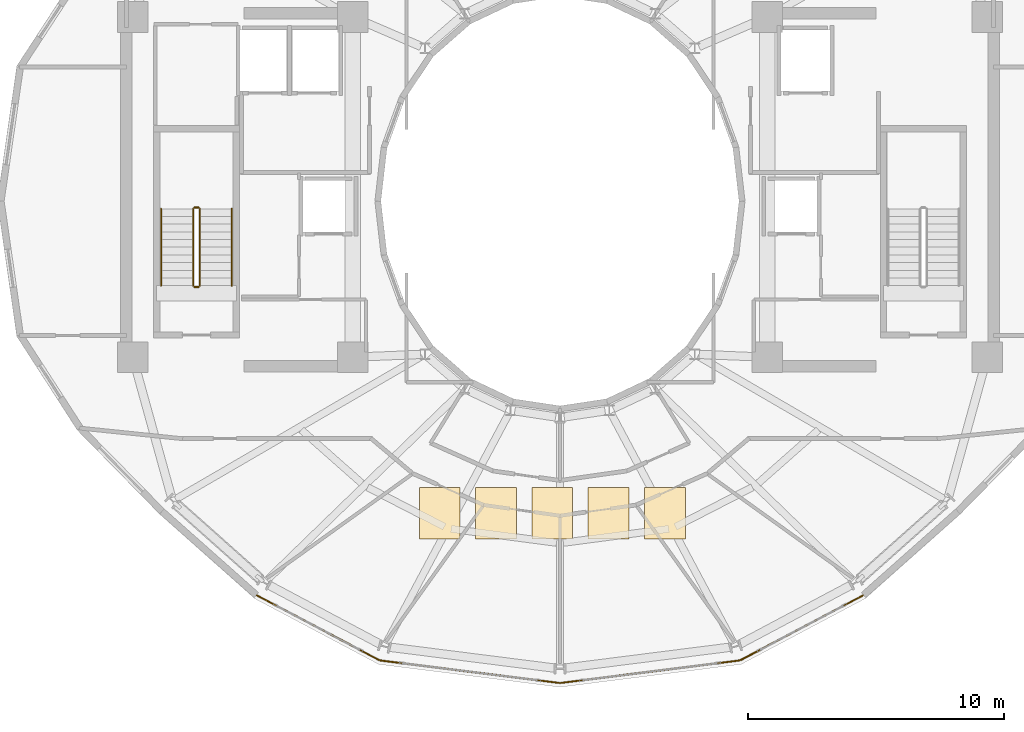
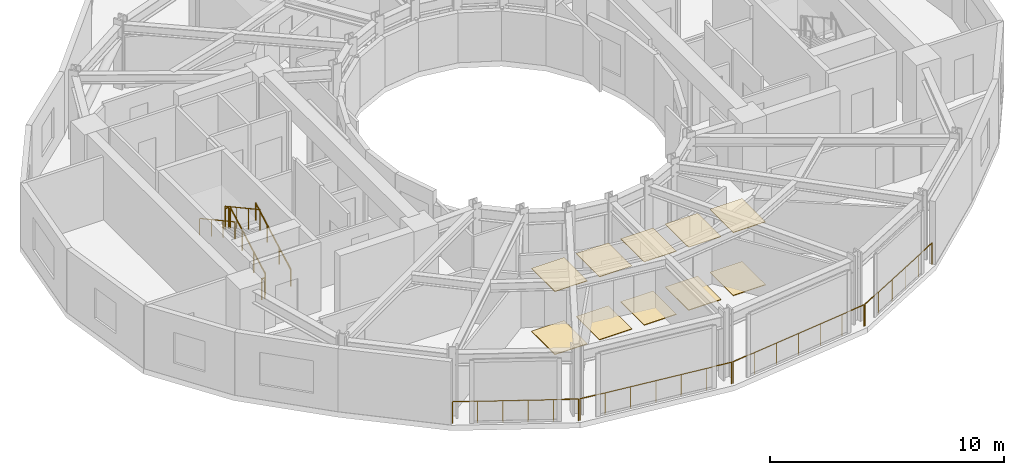
# One storey, part 17 of 19: 10 coverings, 10 railings.
"""IFC4 building model written with IfcOpenShell, lengths in metres."""

from ifc_helpers import new_model, si_unit, direction, frame, origin, origin_2d, place, context, subcontext, project, spatial, polyline, circle, outline, extrude, material, layer, layer_set, type_object, element, save


model = new_model("IFC4")

# Units and contexts
model_context = context("Model", 3, precision=1e-05, world=origin(), true_north=direction((0.0, 1.0)))
body_context = subcontext(model_context, "Body", "Model", "MODEL_VIEW")
ifc_project = project(units=[si_unit("LENGTHUNIT", "METRE"), si_unit("AREAUNIT", "SQUARE_METRE"), si_unit("VOLUMEUNIT", "CUBIC_METRE"), si_unit("PLANEANGLEUNIT", "RADIAN"), si_unit("MASSUNIT", "GRAM", prefix="KILO")], contexts=[model_context])

# Site, building, storey
site_placement = place(None, origin())
site = spatial("IfcSite", under=ifc_project, at=site_placement, CompositionType="ELEMENT")
building_placement = place(site_placement, origin())
building = spatial("IfcBuilding", under=site, at=building_placement, Name="Solvane Sanctuary Tower", CompositionType="ELEMENT")
storey_placement = place(building_placement, frame((0.0, 0.0, 249.60009765625)))
storey = spatial("IfcBuildingStorey", under=building, at=storey_placement, Name="L76", CompositionType="ELEMENT", Elevation=249.60009765625)

# Coverings
ifc_material_1 = material(Name="Acoustic Gypsum Partition Board")
ifc_layer_1 = layer(ifc_material_1, 0.02490234375, Name="Acoustic Gypsum Partition Board")
ifc_layer_set_1 = layer_set([ifc_layer_1], Name="Acoustic Gypsum Partition Board")
covering_type_1 = type_object("IfcCoveringType", Name="Covering CLG-ACOUST", PredefinedType="CEILING", material=ifc_layer_set_1)
covering_1_placement = place(storey_placement, frame((0.0, 0.0, 3.289794921875)))
element("IfcCovering", 1, at=covering_1_placement, inside=storey, type_object=covering_type_1, Name="L76 Sky Dining Acoustic Coffer 8", PredefinedType="CEILING", context=body_context, shape_type="SweptSolid", body=[
    extrude(outline(polyline([(26.5, 9.800048828125), (28.10009765625, 9.800048828125), (28.10009765625, 11.800048828125), (26.5, 11.800048828125), (26.5, 9.800048828125)])), origin(), (0.0, 0.0, 1.0), 0.030029296875),
])
covering_2_placement = place(storey_placement, frame((0.0, 0.0, 3.289794921875)))
element("IfcCovering", 2, at=covering_2_placement, inside=storey, type_object=covering_type_1, Name="L76 Sky Dining Acoustic Coffer 9", PredefinedType="CEILING", context=body_context, shape_type="SweptSolid", body=[
    extrude(outline(polyline([(28.699951171875, 9.800048828125), (30.300048828125, 9.800048828125), (30.300048828125, 11.800048828125), (28.699951171875, 11.800048828125), (28.699951171875, 9.800048828125)])), origin(), (0.0, 0.0, 1.0), 0.030029296875),
])
covering_3_placement = place(storey_placement, frame((0.0, 0.0, 3.289794921875)))
element("IfcCovering", 3, at=covering_3_placement, inside=storey, type_object=covering_type_1, Name="L76 Sky Dining Acoustic Coffer 10", PredefinedType="CEILING", context=body_context, shape_type="SweptSolid", body=[
    extrude(outline(polyline([(30.89990234375, 9.800048828125), (32.5, 9.800048828125), (32.5, 11.800048828125), (30.89990234375, 11.800048828125), (30.89990234375, 9.800048828125)])), origin(), (0.0, 0.0, 1.0), 0.030029296875),
])
covering_4_placement = place(storey_placement, frame((0.0, 0.0, 3.289794921875)))
element("IfcCovering", 4, at=covering_4_placement, inside=storey, type_object=covering_type_1, Name="L76 Sky Dining Acoustic Coffer 11", PredefinedType="CEILING", context=body_context, shape_type="SweptSolid", body=[
    extrude(outline(polyline([(33.10009765625, 9.800048828125), (34.699951171875, 9.800048828125), (34.699951171875, 11.800048828125), (33.10009765625, 11.800048828125), (33.10009765625, 9.800048828125)])), origin(), (0.0, 0.0, 1.0), 0.030029296875),
])
covering_5_placement = place(storey_placement, frame((0.0, 0.0, 3.289794921875)))
element("IfcCovering", 5, at=covering_5_placement, inside=storey, type_object=covering_type_1, Name="L76 Sky Dining Acoustic Coffer 12", PredefinedType="CEILING", context=body_context, shape_type="SweptSolid", body=[
    extrude(outline(polyline([(35.300048828125, 9.800048828125), (36.89990234375, 9.800048828125), (36.89990234375, 11.800048828125), (35.300048828125, 11.800048828125), (35.300048828125, 9.800048828125)])), origin(), (0.0, 0.0, 1.0), 0.030029296875),
])
ifc_material_2 = material(Name="Ceramic Tile Finish")
ifc_layer_2 = layer(ifc_material_2, 0.030029296875, Name="Ceramic Tile Finish")
ifc_layer_set_2 = layer_set([ifc_layer_2], Name="Ceramic Tile Finish")
covering_type_2 = type_object("IfcCoveringType", Name="Covering FLR-TERRAZZO", PredefinedType="FLOORING", material=ifc_layer_set_2)
covering_6_placement = place(storey_placement, origin())
element("IfcCovering", 6, at=covering_6_placement, inside=storey, type_object=covering_type_2, Name="L76 Sky Dining Terrazzo Inlay 8", PredefinedType="FLOORING", context=body_context, shape_type="SweptSolid", body=[
    extrude(outline(polyline([(26.5, 9.800048828125), (28.10009765625, 9.800048828125), (28.10009765625, 11.800048828125), (26.5, 11.800048828125), (26.5, 9.800048828125)])), origin(), (0.0, 0.0, 1.0), 0.034912109375),
])
covering_7_placement = place(storey_placement, origin())
element("IfcCovering", 7, at=covering_7_placement, inside=storey, type_object=covering_type_2, Name="L76 Sky Dining Terrazzo Inlay 9", PredefinedType="FLOORING", context=body_context, shape_type="SweptSolid", body=[
    extrude(outline(polyline([(28.699951171875, 9.800048828125), (30.300048828125, 9.800048828125), (30.300048828125, 11.800048828125), (28.699951171875, 11.800048828125), (28.699951171875, 9.800048828125)])), origin(), (0.0, 0.0, 1.0), 0.034912109375),
])
covering_8_placement = place(storey_placement, origin())
element("IfcCovering", 8, at=covering_8_placement, inside=storey, type_object=covering_type_2, Name="L76 Sky Dining Terrazzo Inlay 10", PredefinedType="FLOORING", context=body_context, shape_type="SweptSolid", body=[
    extrude(outline(polyline([(30.89990234375, 9.800048828125), (32.5, 9.800048828125), (32.5, 11.800048828125), (30.89990234375, 11.800048828125), (30.89990234375, 9.800048828125)])), origin(), (0.0, 0.0, 1.0), 0.034912109375),
])
covering_9_placement = place(storey_placement, origin())
element("IfcCovering", 9, at=covering_9_placement, inside=storey, type_object=covering_type_2, Name="L76 Sky Dining Terrazzo Inlay 11", PredefinedType="FLOORING", context=body_context, shape_type="SweptSolid", body=[
    extrude(outline(polyline([(33.10009765625, 9.800048828125), (34.699951171875, 9.800048828125), (34.699951171875, 11.800048828125), (33.10009765625, 11.800048828125), (33.10009765625, 9.800048828125)])), origin(), (0.0, 0.0, 1.0), 0.034912109375),
])
covering_10_placement = place(storey_placement, origin())
element("IfcCovering", 10, at=covering_10_placement, inside=storey, type_object=covering_type_2, Name="L76 Sky Dining Terrazzo Inlay 12", PredefinedType="FLOORING", context=body_context, shape_type="SweptSolid", body=[
    extrude(outline(polyline([(35.300048828125, 9.800048828125), (36.89990234375, 9.800048828125), (36.89990234375, 11.800048828125), (35.300048828125, 11.800048828125), (35.300048828125, 9.800048828125)])), origin(), (0.0, 0.0, 1.0), 0.034912109375),
])

# Railings
ifc_material_3 = material(Name="Architectural Stainless Steel 316", Category="steel")
railing_type_1 = type_object("IfcRailingType", Name="Railing GR-BALC-1150", PredefinedType="BALUSTRADE", material=ifc_material_3)
railing_1_placement = place(storey_placement, frame((20.156494140625, 7.5869140625, 0.0)))
element("IfcRailing", 11, at=railing_1_placement, inside=storey, type_object=railing_type_1, Name="L76 Curtain-Wall Perimeter Sill Guard 16", PredefinedType="BALUSTRADE", context=body_context, shape_type="SweptSolid", body=[
    extrude(circle(Radius=0.02392578125, at=origin_2d()), frame((0.0, 0.0, 1.1259765625), z_axis=(0.883976980304, -0.467530424992, 0.0), x_axis=(0.467530424992, 0.883976980304, 0.0)), (0.0, 0.0, 1.0), 5.400390625),
    extrude(circle(Radius=0.02099609375, at=origin_2d()), origin(), (0.0, 0.0, 1.0), 1.101806640625),
    extrude(circle(Radius=0.02099609375, at=origin_2d()), frame((0.954833984375, -0.5048828125, 0.0)), (0.0, 0.0, 1.0), 1.101806640625),
    extrude(circle(Radius=0.02099609375, at=origin_2d()), frame((1.90966796875, -1.010009765625, 0.0)), (0.0, 0.0, 1.0), 1.101806640625),
    extrude(circle(Radius=0.02099609375, at=origin_2d()), frame((2.8642578125, -1.514892578125, 0.0)), (0.0, 0.0, 1.0), 1.101806640625),
    extrude(circle(Radius=0.02099609375, at=origin_2d()), frame((3.819091796875, -2.02001953125, 0.0)), (0.0, 0.0, 1.0), 1.101806640625),
    extrude(circle(Radius=0.02099609375, at=origin_2d()), frame((4.77392578125, -2.52490234375, 0.0)), (0.0, 0.0, 1.0), 1.101806640625),
])
railing_2_placement = place(storey_placement, frame((24.98681640625, 5.04443359375, 0.0)))
element("IfcRailing", 12, at=railing_2_placement, inside=storey, type_object=railing_type_1, Name="L76 Curtain-Wall Perimeter Sill Guard 17", PredefinedType="BALUSTRADE", context=body_context, shape_type="SweptSolid", body=[
    extrude(circle(Radius=0.02392578125, at=origin_2d()), frame((0.0, 0.0, 1.1259765625), z_axis=(0.992181523379, -0.124803143655, 0.0), x_axis=(0.124803143655, 0.992181523379, 0.0)), (0.0, 0.0, 1.0), 7.038330078125),
    extrude(circle(Radius=0.02099609375, at=origin_2d()), origin(), (0.0, 0.0, 1.0), 1.101806640625),
    extrude(circle(Radius=0.02099609375, at=origin_2d()), frame((1.163818359375, -0.146484375, 0.0)), (0.0, 0.0, 1.0), 1.101806640625),
    extrude(circle(Radius=0.02099609375, at=origin_2d()), frame((2.327880859375, -0.292724609375, 0.0)), (0.0, 0.0, 1.0), 1.101806640625),
    extrude(circle(Radius=0.02099609375, at=origin_2d()), frame((3.49169921875, -0.439208984375, 0.0)), (0.0, 0.0, 1.0), 1.101806640625),
    extrude(circle(Radius=0.02099609375, at=origin_2d()), frame((4.655517578125, -0.585693359375, 0.0)), (0.0, 0.0, 1.0), 1.101806640625),
    extrude(circle(Radius=0.02099609375, at=origin_2d()), frame((5.819580078125, -0.73193359375, 0.0)), (0.0, 0.0, 1.0), 1.101806640625),
    extrude(circle(Radius=0.02099609375, at=origin_2d()), frame((6.9833984375, -0.87841796875, 0.0)), (0.0, 0.0, 1.0), 1.101806640625),
])
railing_3_placement = place(storey_placement, frame((32.02978515625, 4.166015625, 0.0)))
element("IfcRailing", 13, at=railing_3_placement, inside=storey, type_object=railing_type_1, Name="L76 Curtain-Wall Perimeter Sill Guard 18", PredefinedType="BALUSTRADE", context=body_context, shape_type="SweptSolid", body=[
    extrude(circle(Radius=0.02392578125, at=origin_2d()), frame((0.0, 0.0, 1.1259765625), z_axis=(0.992181523379, 0.124803143655, 0.0), x_axis=(-0.124803143655, 0.992181523379, 0.0)), (0.0, 0.0, 1.0), 7.038330078125),
    extrude(circle(Radius=0.02099609375, at=origin_2d()), origin(), (0.0, 0.0, 1.0), 1.101806640625),
    extrude(circle(Radius=0.02099609375, at=origin_2d()), frame((1.163818359375, 0.146484375, 0.0)), (0.0, 0.0, 1.0), 1.101806640625),
    extrude(circle(Radius=0.02099609375, at=origin_2d()), frame((2.327880859375, 0.292724609375, 0.0)), (0.0, 0.0, 1.0), 1.101806640625),
    extrude(circle(Radius=0.02099609375, at=origin_2d()), frame((3.49169921875, 0.439208984375, 0.0)), (0.0, 0.0, 1.0), 1.101806640625),
    extrude(circle(Radius=0.02099609375, at=origin_2d()), frame((4.655517578125, 0.585693359375, 0.0)), (0.0, 0.0, 1.0), 1.101806640625),
    extrude(circle(Radius=0.02099609375, at=origin_2d()), frame((5.819580078125, 0.73193359375, 0.0)), (0.0, 0.0, 1.0), 1.101806640625),
    extrude(circle(Radius=0.02099609375, at=origin_2d()), frame((6.9833984375, 0.87841796875, 0.0)), (0.0, 0.0, 1.0), 1.101806640625),
])
railing_4_placement = place(storey_placement, frame((39.069580078125, 5.06201171875, 0.0)))
element("IfcRailing", 14, at=railing_4_placement, inside=storey, type_object=railing_type_1, Name="L76 Curtain-Wall Perimeter Sill Guard 19", PredefinedType="BALUSTRADE", context=body_context, shape_type="SweptSolid", body=[
    extrude(circle(Radius=0.02392578125, at=origin_2d()), frame((0.0, 0.0, 1.1259765625), z_axis=(0.883976980304, 0.467530424992, 0.0), x_axis=(-0.467530424992, 0.883976980304, 0.0)), (0.0, 0.0, 1.0), 5.400390625),
    extrude(circle(Radius=0.02099609375, at=origin_2d()), origin(), (0.0, 0.0, 1.0), 1.101806640625),
    extrude(circle(Radius=0.02099609375, at=origin_2d()), frame((0.954833984375, 0.5048828125, 0.0)), (0.0, 0.0, 1.0), 1.101806640625),
    extrude(circle(Radius=0.02099609375, at=origin_2d()), frame((1.90966796875, 1.010009765625, 0.0)), (0.0, 0.0, 1.0), 1.101806640625),
    extrude(circle(Radius=0.02099609375, at=origin_2d()), frame((2.8642578125, 1.514892578125, 0.0)), (0.0, 0.0, 1.0), 1.101806640625),
    extrude(circle(Radius=0.02099609375, at=origin_2d()), frame((3.819091796875, 2.02001953125, 0.0)), (0.0, 0.0, 1.0), 1.101806640625),
    extrude(circle(Radius=0.02099609375, at=origin_2d()), frame((4.77392578125, 2.52490234375, 0.0)), (0.0, 0.0, 1.0), 1.101806640625),
])
railing_5_placement = place(storey_placement, frame((17.919921875, 19.699951171875, 0.16357421875)))
element("IfcRailing", 15, at=railing_5_placement, inside=storey, type_object=railing_type_1, Name="L76 ST-1 stair guard 1", PredefinedType="BALUSTRADE", context=body_context, shape_type="SweptSolid", body=[
    extrude(circle(Radius=0.02392578125, at=origin_2d()), frame((0.0, 0.0, 1.076171875), z_axis=(0.0, 0.877911954615, 0.47882209634), x_axis=(-1.0, 0.0, 0.0)), (0.0, 0.0, 1.0), 3.417236328125),
    extrude(circle(Radius=0.02099609375, at=origin_2d()), origin(), (0.0, 0.0, 1.0), 1.052001953125),
    extrude(circle(Radius=0.02099609375, at=origin_2d()), frame((0.0, 1.0, 0.54541015625)), (0.0, 0.0, 1.0), 1.052001953125),
    extrude(circle(Radius=0.02099609375, at=origin_2d()), frame((0.0, 2.0, 1.0908203125)), (0.0, 0.0, 1.0), 1.052001953125),
    extrude(circle(Radius=0.02099609375, at=origin_2d()), frame((0.0, 3.0, 1.63623046875)), (0.0, 0.0, 1.0), 1.052001953125),
])
railing_6_placement = place(storey_placement, frame((17.8701171875, 22.75, 1.7998046875)))
element("IfcRailing", 16, at=railing_6_placement, inside=storey, type_object=railing_type_1, Name="L76 ST-1 stair guard 2", PredefinedType="BALUSTRADE", context=body_context, shape_type="SweptSolid", body=[
    extrude(circle(Radius=0.02392578125, at=origin_2d()), frame((0.0, 0.0, 1.076171875), z_axis=(-1.0, 0.0, 0.0), x_axis=(0.0, -1.0, 0.0)), (0.0, 0.0, 1.0), 0.16015625),
    extrude(circle(Radius=0.02099609375, at=origin_2d()), origin(), (0.0, 0.0, 1.0), 1.052001953125),
    extrude(circle(Radius=0.02099609375, at=origin_2d()), frame((-0.16015625, 0.0, 0.0)), (0.0, 0.0, 1.0), 1.052001953125),
])
railing_7_placement = place(storey_placement, frame((17.659912109375, 22.699951171875, 1.963623046875)))
element("IfcRailing", 17, at=railing_7_placement, inside=storey, type_object=railing_type_1, Name="L76 ST-1 stair guard 3", PredefinedType="BALUSTRADE", context=body_context, shape_type="SweptSolid", body=[
    extrude(circle(Radius=0.02392578125, at=origin_2d()), frame((0.0, 0.0, 1.076171875), z_axis=(0.0, -0.877911954615, 0.47882209634), x_axis=(1.0, 0.0, 0.0)), (0.0, 0.0, 1.0), 3.417236328125),
    extrude(circle(Radius=0.02099609375, at=origin_2d()), origin(), (0.0, 0.0, 1.0), 1.052001953125),
    extrude(circle(Radius=0.02099609375, at=origin_2d()), frame((0.0, -1.0, 0.54541015625)), (0.0, 0.0, 1.0), 1.052001953125),
    extrude(circle(Radius=0.02099609375, at=origin_2d()), frame((0.0, -2.0, 1.0908203125)), (0.0, 0.0, 1.0), 1.052001953125),
    extrude(circle(Radius=0.02099609375, at=origin_2d()), frame((0.0, -3.0, 1.63623046875)), (0.0, 0.0, 1.0), 1.052001953125),
])
railing_8_placement = place(storey_placement, frame((17.8701171875, 19.64990234375, 0.0)))
element("IfcRailing", 18, at=railing_8_placement, inside=storey, type_object=railing_type_1, Name="L76 ST-1 stair guard 4", PredefinedType="BALUSTRADE", context=body_context, shape_type="SweptSolid", body=[
    extrude(circle(Radius=0.02392578125, at=origin_2d()), frame((0.0, 0.0, 1.076171875), z_axis=(-1.0, 0.0, 0.0), x_axis=(0.0, -1.0, 0.0)), (0.0, 0.0, 1.0), 0.16015625),
    extrude(circle(Radius=0.02099609375, at=origin_2d()), origin(), (0.0, 0.0, 1.0), 1.052001953125),
    extrude(circle(Radius=0.02099609375, at=origin_2d()), frame((-0.16015625, 0.0, 0.0)), (0.0, 0.0, 1.0), 1.052001953125),
])
railing_type_2 = type_object("IfcRailingType", Name="Railing HR-STAIR-920", PredefinedType="HANDRAIL", material=ifc_material_3)
railing_9_placement = place(storey_placement, frame((19.169921875, 19.699951171875, 0.16357421875)))
element("IfcRailing", 19, at=railing_9_placement, inside=storey, type_object=railing_type_2, Name="L76 ST-1 stair handrail 1", PredefinedType="HANDRAIL", context=body_context, shape_type="SweptSolid", body=[
    extrude(circle(Radius=0.02392578125, at=origin_2d()), frame((0.0, 0.0, 0.8759765625), z_axis=(0.0, 0.877911954615, 0.47882209634), x_axis=(-1.0, 0.0, 0.0)), (0.0, 0.0, 1.0), 3.417236328125),
    extrude(circle(Radius=0.02099609375, at=origin_2d()), origin(), (0.0, 0.0, 1.0), 0.851806640625),
    extrude(circle(Radius=0.02099609375, at=origin_2d()), frame((0.0, 1.0, 0.54541015625)), (0.0, 0.0, 1.0), 0.851806640625),
    extrude(circle(Radius=0.02099609375, at=origin_2d()), frame((0.0, 2.0, 1.0908203125)), (0.0, 0.0, 1.0), 0.851806640625),
    extrude(circle(Radius=0.02099609375, at=origin_2d()), frame((0.0, 3.0, 1.63623046875)), (0.0, 0.0, 1.0), 0.851806640625),
])
railing_10_placement = place(storey_placement, frame((16.409912109375, 22.699951171875, 1.963623046875)))
element("IfcRailing", 20, at=railing_10_placement, inside=storey, type_object=railing_type_2, Name="L76 ST-1 stair handrail 2", PredefinedType="HANDRAIL", context=body_context, shape_type="SweptSolid", body=[
    extrude(circle(Radius=0.02392578125, at=origin_2d()), frame((0.0, 0.0, 0.8759765625), z_axis=(0.0, -0.877911954615, 0.47882209634), x_axis=(1.0, 0.0, 0.0)), (0.0, 0.0, 1.0), 3.417236328125),
    extrude(circle(Radius=0.02099609375, at=origin_2d()), origin(), (0.0, 0.0, 1.0), 0.851806640625),
    extrude(circle(Radius=0.02099609375, at=origin_2d()), frame((0.0, -1.0, 0.54541015625)), (0.0, 0.0, 1.0), 0.851806640625),
    extrude(circle(Radius=0.02099609375, at=origin_2d()), frame((0.0, -2.0, 1.0908203125)), (0.0, 0.0, 1.0), 0.851806640625),
    extrude(circle(Radius=0.02099609375, at=origin_2d()), frame((0.0, -3.0, 1.63623046875)), (0.0, 0.0, 1.0), 0.851806640625),
])

save(model, "model.ifc")
